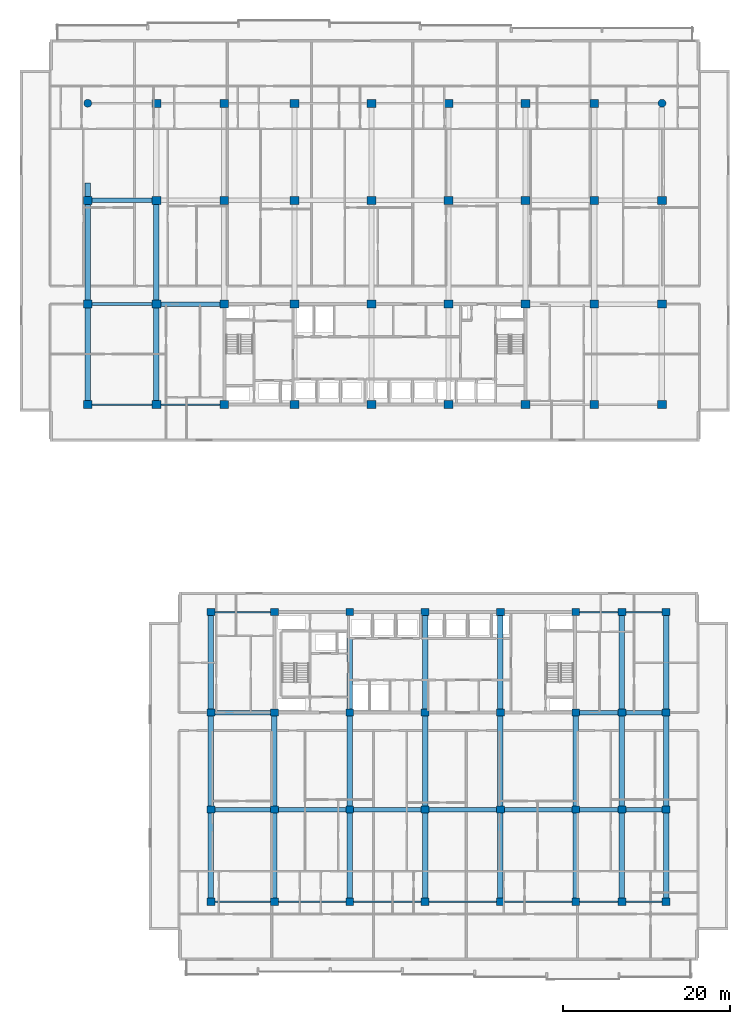
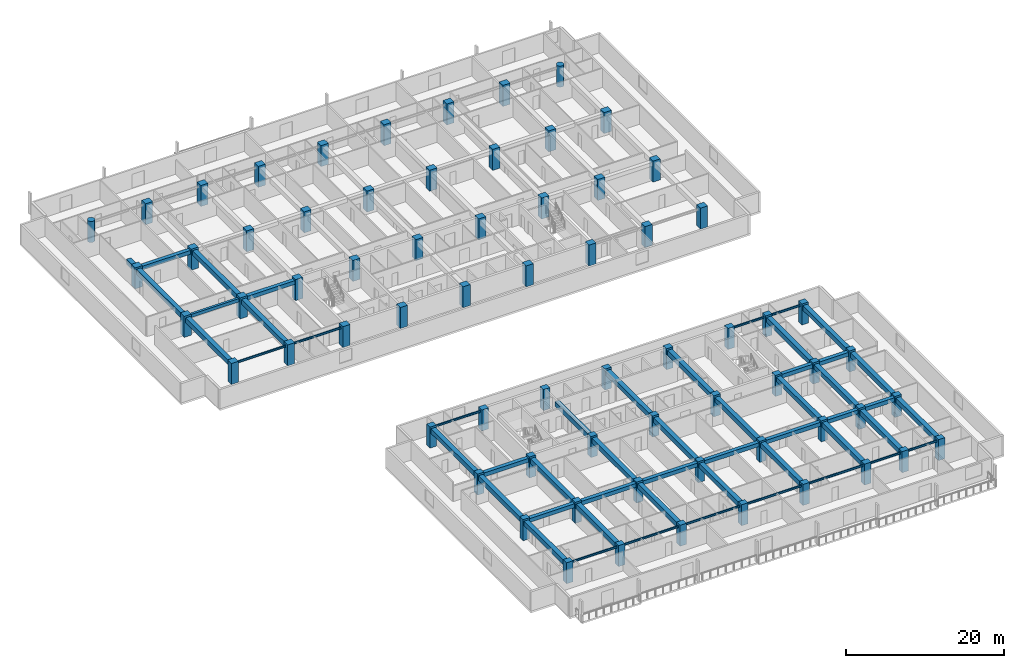
# One storey, part 1 of 23: 68 columns, 52 beams.
"""IFC4 building model written with IfcOpenShell, lengths in metres."""

from ifc_helpers import new_model, si_unit, direction, frame, origin, origin_2d, place, context, subcontext, project, spatial, rectangle, circle, i_section, extrude, material, material_profile, profile_set, type_object, element, save


model = new_model("IFC4")

# Units and contexts
model_context = context("Model", 3, precision=1e-05, world=origin(), true_north=direction((0.0, 1.0)))
body_context = subcontext(model_context, "Body", "Model", "MODEL_VIEW")
ifc_project = project(units=[si_unit("LENGTHUNIT", "METRE"), si_unit("AREAUNIT", "SQUARE_METRE"), si_unit("VOLUMEUNIT", "CUBIC_METRE"), si_unit("PLANEANGLEUNIT", "RADIAN"), si_unit("MASSUNIT", "GRAM", prefix="KILO")], contexts=[model_context])

# Site, building, storey
site_placement = place(None, origin())
site = spatial("IfcSite", under=ifc_project, at=site_placement, CompositionType="ELEMENT")
building_placement = place(site_placement, origin())
building = spatial("IfcBuilding", under=site, at=building_placement, Name="Korimba Cascade Residences", CompositionType="ELEMENT")
storey_placement = place(building_placement, frame((0.0, 0.0, 27.25)))
storey = spatial("IfcBuildingStorey", under=building, at=storey_placement, Name="L06", CompositionType="ELEMENT", Elevation=27.25)

# Columns
ifc_material_1 = material(Name="Concrete C80/95", Category="concrete")
ifc_material_profile_1 = material_profile(ifc_material_1, rectangle(XDim=1.050048828125, YDim=0.949951171875, at=origin_2d()), Name="Concrete C80/95")
ifc_profile_set_1 = profile_set([ifc_material_profile_1], Name="Concrete C80/95")
column_type_1 = type_object("IfcColumnType", Name="COL-RC-1050", PredefinedType="COLUMN", material=ifc_profile_set_1)
for number, where, z_axis, x_axis, name in (
    (1, (59.800048828125, 55.199951171875, 0.0), (0.0, 0.0, 1.0), (1.0, 0.0, 0.0), "L06 Tower 1 Column 1.1"),
    (2, (59.800048828125, 67.199951171875, 0.0), (0.0, 0.0, 1.0), (1.0, 0.0, 0.0), "L06 Tower 1 Column 1.2"),
    (3, (59.800048828125, 79.60009765625, 0.0), (0.0, 0.0, 1.0), (1.0, 0.0, 0.0), "L06 Tower 1 Column 1.3"),
    (4, (68.0, 55.199951171875, 0.0), (0.0, 0.0, 1.0), (1.0, 0.0, 0.0), "L06 Tower 1 Column 2.1"),
    (5, (68.0, 67.199951171875, 0.0), (0.0, 0.0, 1.0), (1.0, 0.0, 0.0), "L06 Tower 1 Column 2.2"),
    (6, (68.0, 79.60009765625, 0.0), (0.0, 0.0, 1.0), (1.0, 0.0, 0.0), "L06 Tower 1 Column 2.3"),
    (7, (68.0, 91.199951171875, 0.0), (0.0, 0.0, 1.0), (1.0, 0.0, 0.0), "L06 Tower 1 Column 2.4"),
    (8, (76.10009765625, 55.199951171875, 0.0), (0.0, 0.0, 1.0), (1.0, 0.0, 0.0), "L06 Tower 1 Column 3.1"),
    (9, (76.10009765625, 67.199951171875, 0.0), (0.0, 0.0, 1.0), (1.0, 0.0, 0.0), "L06 Tower 1 Column 3.2"),
    (10, (76.10009765625, 79.60009765625, 0.0), (0.0, 0.0, 1.0), (1.0, 0.0, 0.0), "L06 Tower 1 Column 3.3"),
    (11, (76.10009765625, 91.199951171875, 0.0), (0.0, 0.0, 1.0), (1.0, 0.0, 0.0), "L06 Tower 1 Column 3.4"),
    (12, (84.5, 55.199951171875, 0.0), (0.0, 0.0, 1.0), (1.0, 0.0, 0.0), "L06 Tower 1 Column 4.1"),
    (13, (84.5, 67.199951171875, 0.0), (0.0, 0.0, 1.0), (1.0, 0.0, 0.0), "L06 Tower 1 Column 4.2"),
    (14, (84.5, 79.60009765625, 0.0), (0.0, 0.0, 1.0), (1.0, 0.0, 0.0), "L06 Tower 1 Column 4.3"),
    (15, (84.5, 91.199951171875, 0.0), (0.0, 0.0, 1.0), (1.0, 0.0, 0.0), "L06 Tower 1 Column 4.4"),
    (16, (93.699951171875, 55.199951171875, 0.0), (0.0, 0.0, 1.0), (1.0, 0.0, 0.0), "L06 Tower 1 Column 5.1"),
    (17, (93.699951171875, 67.199951171875, 0.0), (0.0, 0.0, 1.0), (1.0, 0.0, 0.0), "L06 Tower 1 Column 5.2"),
    (18, (93.699951171875, 79.60009765625, 0.0), (0.0, 0.0, 1.0), (1.0, 0.0, 0.0), "L06 Tower 1 Column 5.3"),
    (19, (93.699951171875, 91.199951171875, 0.0), (0.0, 0.0, 1.0), (1.0, 0.0, 0.0), "L06 Tower 1 Column 5.4"),
    (20, (102.89990234375, 55.199951171875, 0.0), (0.0, 0.0, 1.0), (1.0, 0.0, 0.0), "L06 Tower 1 Column 6.1"),
    (21, (102.89990234375, 67.199951171875, 0.0), (0.0, 0.0, 1.0), (1.0, 0.0, 0.0), "L06 Tower 1 Column 6.2"),
    (22, (102.89990234375, 79.60009765625, 0.0), (0.0, 0.0, 1.0), (1.0, 0.0, 0.0), "L06 Tower 1 Column 6.3"),
    (23, (102.89990234375, 91.199951171875, 0.0), (0.0, 0.0, 1.0), (1.0, 0.0, 0.0), "L06 Tower 1 Column 6.4"),
    (24, (112.10009765625, 55.199951171875, 0.0), (0.0, 0.0, 1.0), (1.0, 0.0, 0.0), "L06 Tower 1 Column 7.1"),
    (25, (112.10009765625, 67.199951171875, 0.0), (0.0, 0.0, 1.0), (1.0, 0.0, 0.0), "L06 Tower 1 Column 7.2"),
    (26, (112.10009765625, 79.60009765625, 0.0), (0.0, 0.0, 1.0), (1.0, 0.0, 0.0), "L06 Tower 1 Column 7.3"),
    (27, (112.10009765625, 91.199951171875, 0.0), (0.0, 0.0, 1.0), (1.0, 0.0, 0.0), "L06 Tower 1 Column 7.4"),
    (28, (120.300048828125, 55.199951171875, 0.0), (0.0, 0.0, 1.0), (1.0, 0.0, 0.0), "L06 Tower 1 Column 8.1"),
    (29, (120.300048828125, 67.199951171875, 0.0), (0.0, 0.0, 1.0), (1.0, 0.0, 0.0), "L06 Tower 1 Column 8.2"),
    (30, (120.300048828125, 79.60009765625, 0.0), (0.0, 0.0, 1.0), (1.0, 0.0, 0.0), "L06 Tower 1 Column 8.3"),
    (31, (120.300048828125, 91.199951171875, 0.0), (0.0, 0.0, 1.0), (1.0, 0.0, 0.0), "L06 Tower 1 Column 8.4"),
    (32, (128.39990234375, 55.199951171875, 0.0), (0.0, 0.0, 1.0), (1.0, 0.0, 0.0), "L06 Tower 1 Column 9.1"),
    (33, (128.39990234375, 67.199951171875, 0.0), (0.0, 0.0, 1.0), (1.0, 0.0, 0.0), "L06 Tower 1 Column 9.2"),
    (34, (128.39990234375, 79.60009765625, 0.0), (0.0, 0.0, 1.0), (1.0, 0.0, 0.0), "L06 Tower 1 Column 9.3"),
):
    element("IfcColumn", number, at=place(storey_placement, frame(where, z_axis=z_axis, x_axis=x_axis)), inside=storey, type_object=column_type_1, Name=name, PredefinedType="COLUMN", context=body_context, shape_type="SweptSolid", body=[
        extrude(rectangle(XDim=1.050048828125, YDim=0.949951171875, at=origin_2d()), origin(), (0.0, 0.0, 1.0), 3.25),
    ])
ifc_material_2 = material(Name="Concrete C65/80", Category="concrete")
ifc_material_profile_2 = material_profile(ifc_material_2, rectangle(XDim=0.949951171875, YDim=0.85009765625, at=origin_2d()), Name="Concrete C65/80")
ifc_profile_set_2 = profile_set([ifc_material_profile_2], Name="Concrete C65/80")
column_type_2 = type_object("IfcColumnType", Name="COL-RC-950", PredefinedType="COLUMN", material=ifc_profile_set_2)
for number, where, z_axis, x_axis, name in (
    (35, (74.5, -4.199951171875, 0.0), (0.0, 0.0, 1.0), (1.0, 0.0, 0.0), "L06 Tower 2 Column 1.1"),
    (36, (74.5, 6.800048828125, 0.0), (0.0, 0.0, 1.0), (1.0, 0.0, 0.0), "L06 Tower 2 Column 1.2"),
    (37, (74.5, 18.39990234375, 0.0), (0.0, 0.0, 1.0), (1.0, 0.0, 0.0), "L06 Tower 2 Column 1.3"),
    (38, (74.5, 30.39990234375, 0.0), (0.0, 0.0, 1.0), (1.0, 0.0, 0.0), "L06 Tower 2 Column 1.4"),
    (39, (82.10009765625, -4.199951171875, 0.0), (0.0, 0.0, 1.0), (1.0, 0.0, 0.0), "L06 Tower 2 Column 2.1"),
    (40, (82.10009765625, 6.800048828125, 0.0), (0.0, 0.0, 1.0), (1.0, 0.0, 0.0), "L06 Tower 2 Column 2.2"),
    (41, (82.10009765625, 18.39990234375, 0.0), (0.0, 0.0, 1.0), (1.0, 0.0, 0.0), "L06 Tower 2 Column 2.3"),
    (42, (82.10009765625, 30.39990234375, 0.0), (0.0, 0.0, 1.0), (1.0, 0.0, 0.0), "L06 Tower 2 Column 2.4"),
    (43, (91.10009765625, -4.199951171875, 0.0), (0.0, 0.0, 1.0), (1.0, 0.0, 0.0), "L06 Tower 2 Column 3.1"),
    (44, (91.10009765625, 6.800048828125, 0.0), (0.0, 0.0, 1.0), (1.0, 0.0, 0.0), "L06 Tower 2 Column 3.2"),
    (45, (91.10009765625, 18.39990234375, 0.0), (0.0, 0.0, 1.0), (1.0, 0.0, 0.0), "L06 Tower 2 Column 3.3"),
    (46, (91.10009765625, 30.39990234375, 0.0), (0.0, 0.0, 1.0), (1.0, 0.0, 0.0), "L06 Tower 2 Column 3.4"),
    (47, (100.10009765625, -4.199951171875, 0.0), (0.0, 0.0, 1.0), (1.0, 0.0, 0.0), "L06 Tower 2 Column 4.1"),
    (48, (100.10009765625, 6.800048828125, 0.0), (0.0, 0.0, 1.0), (1.0, 0.0, 0.0), "L06 Tower 2 Column 4.2"),
    (49, (100.10009765625, 18.39990234375, 0.0), (0.0, 0.0, 1.0), (1.0, 0.0, 0.0), "L06 Tower 2 Column 4.3"),
    (50, (100.10009765625, 30.39990234375, 0.0), (0.0, 0.0, 1.0), (1.0, 0.0, 0.0), "L06 Tower 2 Column 4.4"),
    (51, (109.10009765625, -4.199951171875, 0.0), (0.0, 0.0, 1.0), (1.0, 0.0, 0.0), "L06 Tower 2 Column 5.1"),
    (52, (109.10009765625, 6.800048828125, 0.0), (0.0, 0.0, 1.0), (1.0, 0.0, 0.0), "L06 Tower 2 Column 5.2"),
    (53, (109.10009765625, 18.39990234375, 0.0), (0.0, 0.0, 1.0), (1.0, 0.0, 0.0), "L06 Tower 2 Column 5.3"),
    (54, (109.10009765625, 30.39990234375, 0.0), (0.0, 0.0, 1.0), (1.0, 0.0, 0.0), "L06 Tower 2 Column 5.4"),
    (55, (118.10009765625, -4.199951171875, 0.0), (0.0, 0.0, 1.0), (1.0, 0.0, 0.0), "L06 Tower 2 Column 6.1"),
    (56, (118.10009765625, 6.800048828125, 0.0), (0.0, 0.0, 1.0), (1.0, 0.0, 0.0), "L06 Tower 2 Column 6.2"),
    (57, (118.10009765625, 18.39990234375, 0.0), (0.0, 0.0, 1.0), (1.0, 0.0, 0.0), "L06 Tower 2 Column 6.3"),
    (58, (118.10009765625, 30.39990234375, 0.0), (0.0, 0.0, 1.0), (1.0, 0.0, 0.0), "L06 Tower 2 Column 6.4"),
    (59, (123.60009765625, -4.199951171875, 0.0), (0.0, 0.0, 1.0), (1.0, 0.0, 0.0), "L06 Tower 2 Column 7.1"),
    (60, (123.60009765625, 6.800048828125, 0.0), (0.0, 0.0, 1.0), (1.0, 0.0, 0.0), "L06 Tower 2 Column 7.2"),
    (61, (123.60009765625, 18.39990234375, 0.0), (0.0, 0.0, 1.0), (1.0, 0.0, 0.0), "L06 Tower 2 Column 7.3"),
    (62, (123.60009765625, 30.39990234375, 0.0), (0.0, 0.0, 1.0), (1.0, 0.0, 0.0), "L06 Tower 2 Column 7.4"),
    (63, (128.89990234375, -4.199951171875, 0.0), (0.0, 0.0, 1.0), (1.0, 0.0, 0.0), "L06 Tower 2 Column 8.1"),
    (64, (128.89990234375, 6.800048828125, 0.0), (0.0, 0.0, 1.0), (1.0, 0.0, 0.0), "L06 Tower 2 Column 8.2"),
    (65, (128.89990234375, 18.39990234375, 0.0), (0.0, 0.0, 1.0), (1.0, 0.0, 0.0), "L06 Tower 2 Column 8.3"),
    (66, (128.89990234375, 30.39990234375, 0.0), (0.0, 0.0, 1.0), (1.0, 0.0, 0.0), "L06 Tower 2 Column 8.4"),
):
    element("IfcColumn", number, at=place(storey_placement, frame(where, z_axis=z_axis, x_axis=x_axis)), inside=storey, type_object=column_type_2, Name=name, PredefinedType="COLUMN", context=body_context, shape_type="SweptSolid", body=[
        extrude(rectangle(XDim=0.949951171875, YDim=0.85009765625, at=origin_2d()), origin(), (0.0, 0.0, 1.0), 3.25),
    ])
ifc_material_profile_3 = material_profile(ifc_material_1, circle(Radius=0.47509765625, at=origin_2d()), Name="Concrete C80/95")
ifc_profile_set_3 = profile_set([ifc_material_profile_3], Name="Concrete C80/95")
column_type_3 = type_object("IfcColumnType", Name="COL-RC-D950", PredefinedType="COLUMN", material=ifc_profile_set_3)
for number, where, z_axis, x_axis, name in (
    (67, (59.800048828125, 91.199951171875, 0.0), (0.0, 0.0, 1.0), (1.0, 0.0, 0.0), "L06 Tower 1 Column 1.4"),
    (68, (128.39990234375, 91.199951171875, 0.0), (0.0, 0.0, 1.0), (1.0, 0.0, 0.0), "L06 Tower 1 Column 9.4"),
):
    element("IfcColumn", number, at=place(storey_placement, frame(where, z_axis=z_axis, x_axis=x_axis)), inside=storey, type_object=column_type_3, Name=name, PredefinedType="COLUMN", context=body_context, shape_type="SweptSolid", body=[
        extrude(circle(Radius=0.47509765625, at=origin_2d()), origin(), (0.0, 0.0, 1.0), 3.25),
    ])

# Beams
ifc_material_3 = material(Name="Concrete C50/60", Category="concrete")
ifc_material_profile_4 = material_profile(ifc_material_3, rectangle(XDim=0.550048828125, YDim=0.60009765625, at=origin_2d()), Name="Concrete C50/60")
ifc_profile_set_4 = profile_set([ifc_material_profile_4], Name="Concrete C50/60")
beam_type_1 = type_object("IfcBeamType", Name="BM-RC-B600", PredefinedType="BEAM", material=ifc_profile_set_4)
beam_1_placement = place(storey_placement, frame((68.52490234375, 67.199951171875, 2.669921875), z_axis=(1.0, 0.0, 0.0), x_axis=(0.0, 1.0, 0.0)))
element("IfcBeam", 69, at=beam_1_placement, inside=storey, type_object=beam_type_1, Name="L06 T1 E-W Girder Y2 Bay 2", PredefinedType="BEAM", context=body_context, shape_type="SweptSolid", body=[
    extrude(rectangle(XDim=0.550048828125, YDim=0.60009765625, at=origin_2d()), origin(), (0.0, 0.0, 1.0), 7.050048828125),
])
beam_2_placement = place(storey_placement, frame((60.324951171875, 79.60009765625, 2.669921875), z_axis=(1.0, 0.0, 0.0), x_axis=(0.0, 1.0, 0.0)))
element("IfcBeam", 70, at=beam_2_placement, inside=storey, type_object=beam_type_1, Name="L06 T1 E-W Girder Y3 Bay 1", PredefinedType="BEAM", context=body_context, shape_type="SweptSolid", body=[
    extrude(rectangle(XDim=0.550048828125, YDim=0.60009765625, at=origin_2d()), origin(), (0.0, 0.0, 1.0), 7.150146484375),
])
beam_3_placement = place(storey_placement, frame((74.97509765625, 6.800048828125, 2.669921875), z_axis=(1.0, 0.0, 0.0), x_axis=(0.0, 1.0, 0.0)))
element("IfcBeam", 71, at=beam_3_placement, inside=storey, type_object=beam_type_1, Name="L06 T2 E-W Girder Y2 Bay 1", PredefinedType="BEAM", context=body_context, shape_type="SweptSolid", body=[
    extrude(rectangle(XDim=0.550048828125, YDim=0.60009765625, at=origin_2d()), origin(), (0.0, 0.0, 1.0), 6.64990234375),
])
for number, where, z_axis, x_axis, name in (
    (72, (82.574951171875, 6.800048828125, 2.669921875), (1.0, 0.0, 0.0), (0.0, 1.0, 0.0), "L06 T2 E-W Girder Y2 Bay 2"),
    (73, (91.574951171875, 6.800048828125, 2.669921875), (1.0, 0.0, 0.0), (0.0, 1.0, 0.0), "L06 T2 E-W Girder Y2 Bay 3"),
    (74, (100.574951171875, 6.800048828125, 2.669921875), (1.0, 0.0, 0.0), (0.0, 1.0, 0.0), "L06 T2 E-W Girder Y2 Bay 4"),
    (75, (109.574951171875, 6.800048828125, 2.669921875), (1.0, 0.0, 0.0), (0.0, 1.0, 0.0), "L06 T2 E-W Girder Y2 Bay 5"),
):
    element("IfcBeam", number, at=place(storey_placement, frame(where, z_axis=z_axis, x_axis=x_axis)), inside=storey, type_object=beam_type_1, Name=name, PredefinedType="BEAM", context=body_context, shape_type="SweptSolid", body=[
        extrude(rectangle(XDim=0.550048828125, YDim=0.60009765625, at=origin_2d()), origin(), (0.0, 0.0, 1.0), 8.050048828125),
    ])
beam_4_placement = place(storey_placement, frame((118.574951171875, 6.800048828125, 2.669921875), z_axis=(1.0, 0.0, 0.0), x_axis=(0.0, 1.0, 0.0)))
element("IfcBeam", 76, at=beam_4_placement, inside=storey, type_object=beam_type_1, Name="L06 T2 E-W Girder Y2 Bay 6", PredefinedType="BEAM", context=body_context, shape_type="SweptSolid", body=[
    extrude(rectangle(XDim=0.550048828125, YDim=0.60009765625, at=origin_2d()), origin(), (0.0, 0.0, 1.0), 4.550048828125),
])
beam_5_placement = place(storey_placement, frame((124.074951171875, 6.800048828125, 2.669921875), z_axis=(1.0, 0.0, 0.0), x_axis=(0.0, 1.0, 0.0)))
element("IfcBeam", 77, at=beam_5_placement, inside=storey, type_object=beam_type_1, Name="L06 T2 E-W Girder Y2 Bay 7", PredefinedType="BEAM", context=body_context, shape_type="SweptSolid", body=[
    extrude(rectangle(XDim=0.550048828125, YDim=0.60009765625, at=origin_2d()), origin(), (0.0, 0.0, 1.0), 4.35009765625),
])
beam_6_placement = place(storey_placement, frame((74.97509765625, 18.39990234375, 2.669921875), z_axis=(1.0, 0.0, 0.0), x_axis=(0.0, 1.0, 0.0)))
element("IfcBeam", 78, at=beam_6_placement, inside=storey, type_object=beam_type_1, Name="L06 T2 E-W Girder Y3 Bay 1", PredefinedType="BEAM", context=body_context, shape_type="SweptSolid", body=[
    extrude(rectangle(XDim=0.550048828125, YDim=0.60009765625, at=origin_2d()), origin(), (0.0, 0.0, 1.0), 6.64990234375),
])
beam_7_placement = place(storey_placement, frame((118.574951171875, 18.39990234375, 2.669921875), z_axis=(1.0, 0.0, 0.0), x_axis=(0.0, 1.0, 0.0)))
element("IfcBeam", 79, at=beam_7_placement, inside=storey, type_object=beam_type_1, Name="L06 T2 E-W Girder Y3 Bay 6", PredefinedType="BEAM", context=body_context, shape_type="SweptSolid", body=[
    extrude(rectangle(XDim=0.550048828125, YDim=0.60009765625, at=origin_2d()), origin(), (0.0, 0.0, 1.0), 4.550048828125),
])
beam_8_placement = place(storey_placement, frame((124.074951171875, 18.39990234375, 2.669921875), z_axis=(1.0, 0.0, 0.0), x_axis=(0.0, 1.0, 0.0)))
element("IfcBeam", 80, at=beam_8_placement, inside=storey, type_object=beam_type_1, Name="L06 T2 E-W Girder Y3 Bay 7", PredefinedType="BEAM", context=body_context, shape_type="SweptSolid", body=[
    extrude(rectangle(XDim=0.550048828125, YDim=0.60009765625, at=origin_2d()), origin(), (0.0, 0.0, 1.0), 4.35009765625),
])
ifc_material_profile_5 = material_profile(ifc_material_3, rectangle(XDim=0.64990234375, YDim=0.75, at=origin_2d()), Name="Concrete C50/60")
ifc_profile_set_5 = profile_set([ifc_material_profile_5], Name="Concrete C50/60")
beam_type_2 = type_object("IfcBeamType", Name="BM-RC-G750", PredefinedType="BEAM", material=ifc_profile_set_5)
beam_9_placement = place(storey_placement, frame((59.800048828125, 55.675048828125, 2.594970703125), z_axis=(0.0, 1.0, 0.0), x_axis=(-1.0, 0.0, 0.0)))
element("IfcBeam", 81, at=beam_9_placement, inside=storey, type_object=beam_type_2, Name="L06 T1 N-S Girder X1 Seg 1", PredefinedType="BEAM", context=body_context, shape_type="SweptSolid", body=[
    extrude(rectangle(XDim=0.64990234375, YDim=0.75, at=origin_2d()), origin(), (0.0, 0.0, 1.0), 11.050048828125),
])
beam_10_placement = place(storey_placement, frame((59.800048828125, 67.675048828125, 2.594970703125), z_axis=(0.0, 1.0, 0.0), x_axis=(-1.0, 0.0, 0.0)))
element("IfcBeam", 82, at=beam_10_placement, inside=storey, type_object=beam_type_2, Name="L06 T1 N-S Girder X1 Seg 2", PredefinedType="BEAM", context=body_context, shape_type="SweptSolid", body=[
    extrude(rectangle(XDim=0.64990234375, YDim=0.75, at=origin_2d()), origin(), (0.0, 0.0, 1.0), 11.449951171875),
])
beam_11_placement = place(storey_placement, frame((59.800048828125, 80.074951171875, 2.594970703125), z_axis=(0.0, 1.0, 0.0), x_axis=(-1.0, 0.0, 0.0)))
element("IfcBeam", 83, at=beam_11_placement, inside=storey, type_object=beam_type_2, Name="L06 T1 N-S Girder X1 Seg 3", PredefinedType="BEAM", context=body_context, shape_type="SweptSolid", body=[
    extrude(rectangle(XDim=0.64990234375, YDim=0.75, at=origin_2d()), origin(), (0.0, 0.0, 1.0), 1.625),
])
beam_12_placement = place(storey_placement, frame((68.0, 55.675048828125, 2.594970703125), z_axis=(0.0, 1.0, 0.0), x_axis=(-1.0, 0.0, 0.0)))
element("IfcBeam", 84, at=beam_12_placement, inside=storey, type_object=beam_type_2, Name="L06 T1 N-S Girder X2 Seg 1", PredefinedType="BEAM", context=body_context, shape_type="SweptSolid", body=[
    extrude(rectangle(XDim=0.64990234375, YDim=0.75, at=origin_2d()), origin(), (0.0, 0.0, 1.0), 11.050048828125),
])
beam_13_placement = place(storey_placement, frame((68.0, 67.675048828125, 2.594970703125), z_axis=(0.0, 1.0, 0.0), x_axis=(-1.0, 0.0, 0.0)))
element("IfcBeam", 85, at=beam_13_placement, inside=storey, type_object=beam_type_2, Name="L06 T1 N-S Girder X2 Seg 2", PredefinedType="BEAM", context=body_context, shape_type="SweptSolid", body=[
    extrude(rectangle(XDim=0.64990234375, YDim=0.75, at=origin_2d()), origin(), (0.0, 0.0, 1.0), 11.449951171875),
])
beam_14_placement = place(storey_placement, frame((74.5, -3.77490234375, 2.594970703125), z_axis=(0.0, 1.0, 0.0), x_axis=(-1.0, 0.0, 0.0)))
element("IfcBeam", 86, at=beam_14_placement, inside=storey, type_object=beam_type_2, Name="L06 T2 N-S Girder X1 Seg 1", PredefinedType="BEAM", context=body_context, shape_type="SweptSolid", body=[
    extrude(rectangle(XDim=0.64990234375, YDim=0.75, at=origin_2d()), origin(), (0.0, 0.0, 1.0), 10.14990234375),
])
beam_15_placement = place(storey_placement, frame((74.5, 7.22509765625, 2.594970703125), z_axis=(0.0, 1.0, 0.0), x_axis=(-1.0, 0.0, 0.0)))
element("IfcBeam", 87, at=beam_15_placement, inside=storey, type_object=beam_type_2, Name="L06 T2 N-S Girder X1 Seg 2", PredefinedType="BEAM", context=body_context, shape_type="SweptSolid", body=[
    extrude(rectangle(XDim=0.64990234375, YDim=0.75, at=origin_2d()), origin(), (0.0, 0.0, 1.0), 10.75),
])
beam_16_placement = place(storey_placement, frame((74.5, 18.824951171875, 2.594970703125), z_axis=(0.0, 1.0, 0.0), x_axis=(-1.0, 0.0, 0.0)))
element("IfcBeam", 88, at=beam_16_placement, inside=storey, type_object=beam_type_2, Name="L06 T2 N-S Girder X1 Seg 3", PredefinedType="BEAM", context=body_context, shape_type="SweptSolid", body=[
    extrude(rectangle(XDim=0.64990234375, YDim=0.75, at=origin_2d()), origin(), (0.0, 0.0, 1.0), 11.150146484375),
])
beam_17_placement = place(storey_placement, frame((82.10009765625, -3.77490234375, 2.594970703125), z_axis=(0.0, 1.0, 0.0), x_axis=(-1.0, 0.0, 0.0)))
element("IfcBeam", 89, at=beam_17_placement, inside=storey, type_object=beam_type_2, Name="L06 T2 N-S Girder X2 Seg 1", PredefinedType="BEAM", context=body_context, shape_type="SweptSolid", body=[
    extrude(rectangle(XDim=0.64990234375, YDim=0.75, at=origin_2d()), origin(), (0.0, 0.0, 1.0), 10.14990234375),
])
beam_18_placement = place(storey_placement, frame((82.10009765625, 7.22509765625, 2.594970703125), z_axis=(0.0, 1.0, 0.0), x_axis=(-1.0, 0.0, 0.0)))
element("IfcBeam", 90, at=beam_18_placement, inside=storey, type_object=beam_type_2, Name="L06 T2 N-S Girder X2 Seg 2", PredefinedType="BEAM", context=body_context, shape_type="SweptSolid", body=[
    extrude(rectangle(XDim=0.64990234375, YDim=0.75, at=origin_2d()), origin(), (0.0, 0.0, 1.0), 10.75),
])
beam_19_placement = place(storey_placement, frame((91.10009765625, -3.77490234375, 2.594970703125), z_axis=(0.0, 1.0, 0.0), x_axis=(-1.0, 0.0, 0.0)))
element("IfcBeam", 91, at=beam_19_placement, inside=storey, type_object=beam_type_2, Name="L06 T2 N-S Girder X3 Seg 1", PredefinedType="BEAM", context=body_context, shape_type="SweptSolid", body=[
    extrude(rectangle(XDim=0.64990234375, YDim=0.75, at=origin_2d()), origin(), (0.0, 0.0, 1.0), 10.14990234375),
])
beam_20_placement = place(storey_placement, frame((91.10009765625, 7.22509765625, 2.594970703125), z_axis=(0.0, 1.0, 0.0), x_axis=(-1.0, 0.0, 0.0)))
element("IfcBeam", 92, at=beam_20_placement, inside=storey, type_object=beam_type_2, Name="L06 T2 N-S Girder X3 Seg 2", PredefinedType="BEAM", context=body_context, shape_type="SweptSolid", body=[
    extrude(rectangle(XDim=0.64990234375, YDim=0.75, at=origin_2d()), origin(), (0.0, 0.0, 1.0), 10.75),
])
beam_21_placement = place(storey_placement, frame((91.10009765625, 18.824951171875, 2.594970703125), z_axis=(0.0, 1.0, 0.0), x_axis=(-1.0, 0.0, 0.0)))
element("IfcBeam", 93, at=beam_21_placement, inside=storey, type_object=beam_type_2, Name="L06 T2 N-S Girder X3 Seg 3", PredefinedType="BEAM", context=body_context, shape_type="SweptSolid", body=[
    extrude(rectangle(XDim=0.64990234375, YDim=0.75, at=origin_2d()), origin(), (0.0, 0.0, 1.0), 8.51513671875),
])
beam_22_placement = place(storey_placement, frame((100.10009765625, -3.77490234375, 2.594970703125), z_axis=(0.0, 1.0, 0.0), x_axis=(-1.0, 0.0, 0.0)))
element("IfcBeam", 94, at=beam_22_placement, inside=storey, type_object=beam_type_2, Name="L06 T2 N-S Girder X4 Seg 1", PredefinedType="BEAM", context=body_context, shape_type="SweptSolid", body=[
    extrude(rectangle(XDim=0.64990234375, YDim=0.75, at=origin_2d()), origin(), (0.0, 0.0, 1.0), 10.14990234375),
])
beam_23_placement = place(storey_placement, frame((100.10009765625, 7.22509765625, 2.594970703125), z_axis=(0.0, 1.0, 0.0), x_axis=(-1.0, 0.0, 0.0)))
element("IfcBeam", 95, at=beam_23_placement, inside=storey, type_object=beam_type_2, Name="L06 T2 N-S Girder X4 Seg 2", PredefinedType="BEAM", context=body_context, shape_type="SweptSolid", body=[
    extrude(rectangle(XDim=0.64990234375, YDim=0.75, at=origin_2d()), origin(), (0.0, 0.0, 1.0), 10.75),
])
beam_24_placement = place(storey_placement, frame((100.10009765625, 18.824951171875, 2.594970703125), z_axis=(0.0, 1.0, 0.0), x_axis=(-1.0, 0.0, 0.0)))
element("IfcBeam", 96, at=beam_24_placement, inside=storey, type_object=beam_type_2, Name="L06 T2 N-S Girder X4 Seg 3", PredefinedType="BEAM", context=body_context, shape_type="SweptSolid", body=[
    extrude(rectangle(XDim=0.64990234375, YDim=0.75, at=origin_2d()), origin(), (0.0, 0.0, 1.0), 11.150146484375),
])
beam_25_placement = place(storey_placement, frame((109.10009765625, -3.77490234375, 2.594970703125), z_axis=(0.0, 1.0, 0.0), x_axis=(-1.0, 0.0, 0.0)))
element("IfcBeam", 97, at=beam_25_placement, inside=storey, type_object=beam_type_2, Name="L06 T2 N-S Girder X5 Seg 1", PredefinedType="BEAM", context=body_context, shape_type="SweptSolid", body=[
    extrude(rectangle(XDim=0.64990234375, YDim=0.75, at=origin_2d()), origin(), (0.0, 0.0, 1.0), 10.14990234375),
])
beam_26_placement = place(storey_placement, frame((109.10009765625, 7.22509765625, 2.594970703125), z_axis=(0.0, 1.0, 0.0), x_axis=(-1.0, 0.0, 0.0)))
element("IfcBeam", 98, at=beam_26_placement, inside=storey, type_object=beam_type_2, Name="L06 T2 N-S Girder X5 Seg 2", PredefinedType="BEAM", context=body_context, shape_type="SweptSolid", body=[
    extrude(rectangle(XDim=0.64990234375, YDim=0.75, at=origin_2d()), origin(), (0.0, 0.0, 1.0), 10.75),
])
beam_27_placement = place(storey_placement, frame((109.10009765625, 18.824951171875, 2.594970703125), z_axis=(0.0, 1.0, 0.0), x_axis=(-1.0, 0.0, 0.0)))
element("IfcBeam", 99, at=beam_27_placement, inside=storey, type_object=beam_type_2, Name="L06 T2 N-S Girder X5 Seg 3", PredefinedType="BEAM", context=body_context, shape_type="SweptSolid", body=[
    extrude(rectangle(XDim=0.64990234375, YDim=0.75, at=origin_2d()), origin(), (0.0, 0.0, 1.0), 11.150146484375),
])
beam_28_placement = place(storey_placement, frame((118.10009765625, -3.77490234375, 2.594970703125), z_axis=(0.0, 1.0, 0.0), x_axis=(-1.0, 0.0, 0.0)))
element("IfcBeam", 100, at=beam_28_placement, inside=storey, type_object=beam_type_2, Name="L06 T2 N-S Girder X6 Seg 1", PredefinedType="BEAM", context=body_context, shape_type="SweptSolid", body=[
    extrude(rectangle(XDim=0.64990234375, YDim=0.75, at=origin_2d()), origin(), (0.0, 0.0, 1.0), 10.14990234375),
])
beam_29_placement = place(storey_placement, frame((118.10009765625, 7.22509765625, 2.594970703125), z_axis=(0.0, 1.0, 0.0), x_axis=(-1.0, 0.0, 0.0)))
element("IfcBeam", 101, at=beam_29_placement, inside=storey, type_object=beam_type_2, Name="L06 T2 N-S Girder X6 Seg 2", PredefinedType="BEAM", context=body_context, shape_type="SweptSolid", body=[
    extrude(rectangle(XDim=0.64990234375, YDim=0.75, at=origin_2d()), origin(), (0.0, 0.0, 1.0), 10.75),
])
beam_30_placement = place(storey_placement, frame((123.60009765625, -3.77490234375, 2.594970703125), z_axis=(0.0, 1.0, 0.0), x_axis=(-1.0, 0.0, 0.0)))
element("IfcBeam", 102, at=beam_30_placement, inside=storey, type_object=beam_type_2, Name="L06 T2 N-S Girder X7 Seg 1", PredefinedType="BEAM", context=body_context, shape_type="SweptSolid", body=[
    extrude(rectangle(XDim=0.64990234375, YDim=0.75, at=origin_2d()), origin(), (0.0, 0.0, 1.0), 10.14990234375),
])
beam_31_placement = place(storey_placement, frame((123.60009765625, 7.22509765625, 2.594970703125), z_axis=(0.0, 1.0, 0.0), x_axis=(-1.0, 0.0, 0.0)))
element("IfcBeam", 103, at=beam_31_placement, inside=storey, type_object=beam_type_2, Name="L06 T2 N-S Girder X7 Seg 2", PredefinedType="BEAM", context=body_context, shape_type="SweptSolid", body=[
    extrude(rectangle(XDim=0.64990234375, YDim=0.75, at=origin_2d()), origin(), (0.0, 0.0, 1.0), 10.75),
])
beam_32_placement = place(storey_placement, frame((123.60009765625, 18.824951171875, 2.594970703125), z_axis=(0.0, 1.0, 0.0), x_axis=(-1.0, 0.0, 0.0)))
element("IfcBeam", 104, at=beam_32_placement, inside=storey, type_object=beam_type_2, Name="L06 T2 N-S Girder X7 Seg 3", PredefinedType="BEAM", context=body_context, shape_type="SweptSolid", body=[
    extrude(rectangle(XDim=0.64990234375, YDim=0.75, at=origin_2d()), origin(), (0.0, 0.0, 1.0), 11.150146484375),
])
beam_33_placement = place(storey_placement, frame((128.89990234375, -3.77490234375, 2.594970703125), z_axis=(0.0, 1.0, 0.0), x_axis=(-1.0, 0.0, 0.0)))
element("IfcBeam", 105, at=beam_33_placement, inside=storey, type_object=beam_type_2, Name="L06 T2 N-S Girder X8 Seg 1", PredefinedType="BEAM", context=body_context, shape_type="SweptSolid", body=[
    extrude(rectangle(XDim=0.64990234375, YDim=0.75, at=origin_2d()), origin(), (0.0, 0.0, 1.0), 10.14990234375),
])
beam_34_placement = place(storey_placement, frame((128.89990234375, 7.22509765625, 2.594970703125), z_axis=(0.0, 1.0, 0.0), x_axis=(-1.0, 0.0, 0.0)))
element("IfcBeam", 106, at=beam_34_placement, inside=storey, type_object=beam_type_2, Name="L06 T2 N-S Girder X8 Seg 2", PredefinedType="BEAM", context=body_context, shape_type="SweptSolid", body=[
    extrude(rectangle(XDim=0.64990234375, YDim=0.75, at=origin_2d()), origin(), (0.0, 0.0, 1.0), 10.75),
])
beam_35_placement = place(storey_placement, frame((128.89990234375, 18.824951171875, 2.594970703125), z_axis=(0.0, 1.0, 0.0), x_axis=(-1.0, 0.0, 0.0)))
element("IfcBeam", 107, at=beam_35_placement, inside=storey, type_object=beam_type_2, Name="L06 T2 N-S Girder X8 Seg 3", PredefinedType="BEAM", context=body_context, shape_type="SweptSolid", body=[
    extrude(rectangle(XDim=0.64990234375, YDim=0.75, at=origin_2d()), origin(), (0.0, 0.0, 1.0), 11.150146484375),
])
ifc_material_profile_6 = material_profile(ifc_material_3, rectangle(XDim=0.35009765625, YDim=0.5, at=origin_2d()), Name="Concrete C50/60")
ifc_profile_set_6 = profile_set([ifc_material_profile_6], Name="Concrete C50/60")
beam_type_3 = type_object("IfcBeamType", Name="BM-RC-LN500", PredefinedType="LINTEL", material=ifc_profile_set_6)
beam_36_placement = place(storey_placement, frame((60.324951171875, 67.199951171875, 2.719970703125), z_axis=(1.0, 0.0, 0.0), x_axis=(0.0, 1.0, 0.0)))
element("IfcBeam", 108, at=beam_36_placement, inside=storey, type_object=beam_type_3, Name="L06 T1 E-W Girder Y2 Bay 1", PredefinedType="LINTEL", context=body_context, shape_type="SweptSolid", body=[
    extrude(rectangle(XDim=0.35009765625, YDim=0.5, at=origin_2d()), origin(), (0.0, 0.0, 1.0), 7.150146484375),
])
ifc_material_4 = material(Name="Steel S355", Category="steel")
ifc_material_profile_7 = material_profile(ifc_material_4, i_section(OverallWidth=0.165771484375, OverallDepth=0.306640625, WebThickness=0.006591796875, FlangeThickness=0.01171875, FilletRadius=0.0087890625, at=origin_2d()), Name="Steel S355")
ifc_profile_set_7 = profile_set([ifc_material_profile_7], Name="Steel S355")
beam_type_4 = type_object("IfcBeamType", Name="BM-STL-UB305", PredefinedType="SPANDREL", material=ifc_profile_set_7)
beam_37_placement = place(storey_placement, frame((60.324951171875, 55.199951171875, 2.816650390625), z_axis=(1.0, 0.0, 0.0), x_axis=(0.0, 1.0, 0.0)))
element("IfcBeam", 109, at=beam_37_placement, inside=storey, type_object=beam_type_4, Name="L06 T1 E-W Girder Y1 Bay 1", PredefinedType="SPANDREL", context=body_context, shape_type="SweptSolid", body=[
    extrude(i_section(OverallWidth=0.165771484375, OverallDepth=0.306640625, WebThickness=0.006591796875, FlangeThickness=0.01171875, FilletRadius=0.0087890625, at=origin_2d()), origin(), (0.0, 0.0, 1.0), 7.150146484375),
])
beam_38_placement = place(storey_placement, frame((68.52490234375, 55.199951171875, 2.816650390625), z_axis=(1.0, 0.0, 0.0), x_axis=(0.0, 1.0, 0.0)))
element("IfcBeam", 110, at=beam_38_placement, inside=storey, type_object=beam_type_4, Name="L06 T1 E-W Girder Y1 Bay 2", PredefinedType="SPANDREL", context=body_context, shape_type="SweptSolid", body=[
    extrude(i_section(OverallWidth=0.165771484375, OverallDepth=0.306640625, WebThickness=0.006591796875, FlangeThickness=0.01171875, FilletRadius=0.0087890625, at=origin_2d()), origin(), (0.0, 0.0, 1.0), 7.050048828125),
])
beam_39_placement = place(storey_placement, frame((74.97509765625, -4.199951171875, 2.816650390625), z_axis=(1.0, 0.0, 0.0), x_axis=(0.0, 1.0, 0.0)))
element("IfcBeam", 111, at=beam_39_placement, inside=storey, type_object=beam_type_4, Name="L06 T2 E-W Girder Y1 Bay 1", PredefinedType="SPANDREL", context=body_context, shape_type="SweptSolid", body=[
    extrude(i_section(OverallWidth=0.165771484375, OverallDepth=0.306640625, WebThickness=0.006591796875, FlangeThickness=0.01171875, FilletRadius=0.0087890625, at=origin_2d()), origin(), (0.0, 0.0, 1.0), 6.64990234375),
])
for number, where, z_axis, x_axis, name in (
    (112, (82.574951171875, -4.199951171875, 2.816650390625), (1.0, 0.0, 0.0), (0.0, 1.0, 0.0), "L06 T2 E-W Girder Y1 Bay 2"),
    (113, (91.574951171875, -4.199951171875, 2.816650390625), (1.0, 0.0, 0.0), (0.0, 1.0, 0.0), "L06 T2 E-W Girder Y1 Bay 3"),
    (114, (100.574951171875, -4.199951171875, 2.816650390625), (1.0, 0.0, 0.0), (0.0, 1.0, 0.0), "L06 T2 E-W Girder Y1 Bay 4"),
    (115, (109.574951171875, -4.199951171875, 2.816650390625), (1.0, 0.0, 0.0), (0.0, 1.0, 0.0), "L06 T2 E-W Girder Y1 Bay 5"),
):
    element("IfcBeam", number, at=place(storey_placement, frame(where, z_axis=z_axis, x_axis=x_axis)), inside=storey, type_object=beam_type_4, Name=name, PredefinedType="SPANDREL", context=body_context, shape_type="SweptSolid", body=[
        extrude(i_section(OverallWidth=0.165771484375, OverallDepth=0.306640625, WebThickness=0.006591796875, FlangeThickness=0.01171875, FilletRadius=0.0087890625, at=origin_2d()), origin(), (0.0, 0.0, 1.0), 8.050048828125),
    ])
beam_40_placement = place(storey_placement, frame((118.574951171875, -4.199951171875, 2.816650390625), z_axis=(1.0, 0.0, 0.0), x_axis=(0.0, 1.0, 0.0)))
element("IfcBeam", 116, at=beam_40_placement, inside=storey, type_object=beam_type_4, Name="L06 T2 E-W Girder Y1 Bay 6", PredefinedType="SPANDREL", context=body_context, shape_type="SweptSolid", body=[
    extrude(i_section(OverallWidth=0.165771484375, OverallDepth=0.306640625, WebThickness=0.006591796875, FlangeThickness=0.01171875, FilletRadius=0.0087890625, at=origin_2d()), origin(), (0.0, 0.0, 1.0), 4.550048828125),
])
beam_41_placement = place(storey_placement, frame((124.074951171875, -4.199951171875, 2.816650390625), z_axis=(1.0, 0.0, 0.0), x_axis=(0.0, 1.0, 0.0)))
element("IfcBeam", 117, at=beam_41_placement, inside=storey, type_object=beam_type_4, Name="L06 T2 E-W Girder Y1 Bay 7", PredefinedType="SPANDREL", context=body_context, shape_type="SweptSolid", body=[
    extrude(i_section(OverallWidth=0.165771484375, OverallDepth=0.306640625, WebThickness=0.006591796875, FlangeThickness=0.01171875, FilletRadius=0.0087890625, at=origin_2d()), origin(), (0.0, 0.0, 1.0), 4.35009765625),
])
beam_42_placement = place(storey_placement, frame((74.97509765625, 30.39990234375, 2.816650390625), z_axis=(1.0, 0.0, 0.0), x_axis=(0.0, 1.0, 0.0)))
element("IfcBeam", 118, at=beam_42_placement, inside=storey, type_object=beam_type_4, Name="L06 T2 E-W Girder Y4 Bay 1", PredefinedType="SPANDREL", context=body_context, shape_type="SweptSolid", body=[
    extrude(i_section(OverallWidth=0.165771484375, OverallDepth=0.306640625, WebThickness=0.006591796875, FlangeThickness=0.01171875, FilletRadius=0.0087890625, at=origin_2d()), origin(), (0.0, 0.0, 1.0), 6.64990234375),
])
beam_43_placement = place(storey_placement, frame((118.574951171875, 30.39990234375, 2.816650390625), z_axis=(1.0, 0.0, 0.0), x_axis=(0.0, 1.0, 0.0)))
element("IfcBeam", 119, at=beam_43_placement, inside=storey, type_object=beam_type_4, Name="L06 T2 E-W Girder Y4 Bay 6", PredefinedType="SPANDREL", context=body_context, shape_type="SweptSolid", body=[
    extrude(i_section(OverallWidth=0.165771484375, OverallDepth=0.306640625, WebThickness=0.006591796875, FlangeThickness=0.01171875, FilletRadius=0.0087890625, at=origin_2d()), origin(), (0.0, 0.0, 1.0), 4.550048828125),
])
beam_44_placement = place(storey_placement, frame((124.074951171875, 30.39990234375, 2.816650390625), z_axis=(1.0, 0.0, 0.0), x_axis=(0.0, 1.0, 0.0)))
element("IfcBeam", 120, at=beam_44_placement, inside=storey, type_object=beam_type_4, Name="L06 T2 E-W Girder Y4 Bay 7", PredefinedType="SPANDREL", context=body_context, shape_type="SweptSolid", body=[
    extrude(i_section(OverallWidth=0.165771484375, OverallDepth=0.306640625, WebThickness=0.006591796875, FlangeThickness=0.01171875, FilletRadius=0.0087890625, at=origin_2d()), origin(), (0.0, 0.0, 1.0), 4.35009765625),
])

save(model, "model.ifc")
